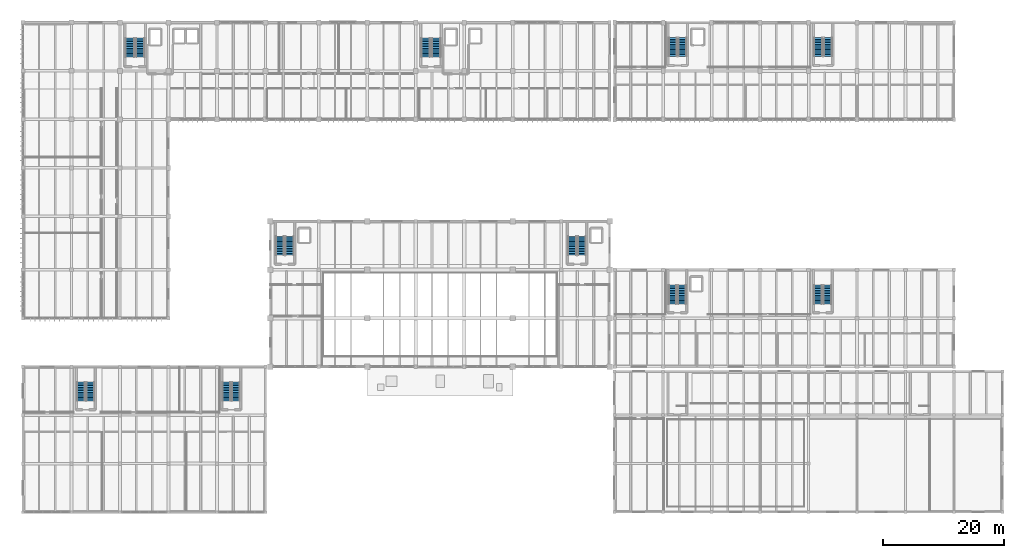
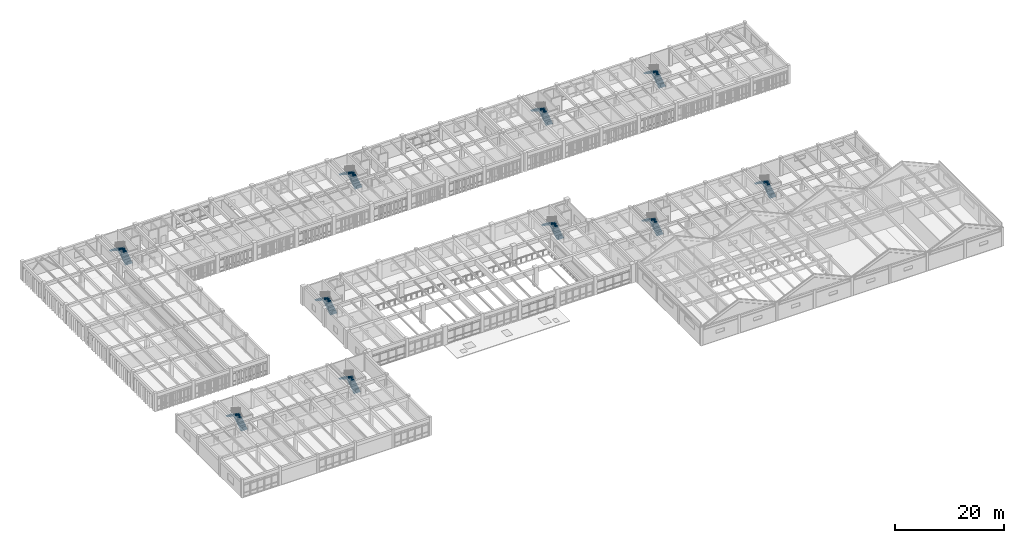
# One storey, part 52 of 67: 20 stair flights, 10 elements without a shape of their own.
"""IFC4 building model written with IfcOpenShell, lengths in metres."""

from ifc_helpers import new_model, si_unit, direction, frame, origin, place, context, subcontext, project, spatial, polyline, outline, extrude, material, type_object, element, aggregate, save


model = new_model("IFC4")

# Units and contexts
model_context = context("Model", 3, precision=1e-05, world=origin(), true_north=direction((0.0, 1.0)))
body_context = subcontext(model_context, "Body", "Model", "MODEL_VIEW")
ifc_project = project(units=[si_unit("LENGTHUNIT", "METRE"), si_unit("AREAUNIT", "SQUARE_METRE"), si_unit("VOLUMEUNIT", "CUBIC_METRE"), si_unit("PLANEANGLEUNIT", "RADIAN"), si_unit("MASSUNIT", "GRAM", prefix="KILO")], contexts=[model_context])

# Site, building, storey
site_placement = place(None, origin())
site = spatial("IfcSite", under=ifc_project, at=site_placement, CompositionType="ELEMENT")
building_placement = place(site_placement, origin())
building = spatial("IfcBuilding", under=site, at=building_placement, Name="Tlaxcora Railside Police Headquarters", CompositionType="ELEMENT")
storey_placement = place(building_placement, frame((0.0, 0.0, 4.800048828125)))
storey = spatial("IfcBuildingStorey", under=building, at=storey_placement, Name="L01", CompositionType="ELEMENT", Elevation=4.800048828125)

# Stair, stair flights
ifc_material = material(Name="Concrete C40/50", Category="concrete")
stair_type_1 = type_object("IfcStairType", Name="Half-Turn Dog-Leg Stair ST-49", PredefinedType="HALF_TURN_STAIR", material=ifc_material)
stair_1_placement = place(storey_placement, origin())
stair_1 = element("IfcStair", 1, at=stair_1_placement, inside=storey, type_object=stair_type_1, Name="L01 ST6", PredefinedType="HALF_TURN_STAIR")
stair_flight_type_1 = type_object("IfcStairFlightType", Name="Straight Stair Flight SF-11", PredefinedType="STRAIGHT", material=ifc_material)
stair_flight_1_placement = place(storey_placement, frame((16.3349609375, 30.360107421875, 0.0), z_axis=(0.0, 0.0, 1.0), x_axis=(0.0, 1.0, 0.0)))
stair_flight_1 = element("IfcStairFlight", 2, at=stair_flight_1_placement, type_object=stair_flight_type_1, Name="ST6 flight 1", NumberOfRisers=12, NumberOfTreads=11, PredefinedType="STRAIGHT", RiserHeight=0.175, TreadLength=0.28, context=body_context, shape_type="SweptSolid", body=[
    extrude(outline(polyline([(0.0, 0.0), (0.0, 0.175048828125), (0.280029296875, 0.175048828125), (0.280029296875, 0.35009765625), (0.56005859375, 0.35009765625), (0.56005859375, 0.52490234375), (0.840087890625, 0.52490234375), (0.840087890625, 0.699951171875), (1.1201171875, 0.699951171875), (1.1201171875, 0.875), (1.39990234375, 0.875), (1.39990234375, 1.050048828125), (1.679931640625, 1.050048828125), (1.679931640625, 1.22509765625), (1.9599609375, 1.22509765625), (1.9599609375, 1.39990234375), (2.239990234375, 1.39990234375), (2.239990234375, 1.574951171875), (2.52001953125, 1.574951171875), (2.52001953125, 1.75), (2.800048828125, 1.75), (2.800048828125, 1.925048828125), (3.080078125, 1.925048828125), (3.080078125, 2.10009765625), (3.080078125, 1.748291015625), (0.28271484375, 0.0), (0.0, 0.0)])), frame((0.0, 0.675048828125, 0.0), z_axis=(0.0, -1.0, 0.0), x_axis=(1.0, 0.0, 0.0)), (0.0, 0.0, 1.0), 1.35009765625),
])
stair_flight_2_placement = place(storey_placement, frame((14.784912109375, 33.43994140625, 2.099853515625), z_axis=(0.0, 0.0, 1.0), x_axis=(0.0, -1.0, 0.0)))
stair_flight_2 = element("IfcStairFlight", 3, at=stair_flight_2_placement, type_object=stair_flight_type_1, Name="ST6 flight 2", NumberOfRisers=12, NumberOfTreads=11, PredefinedType="STRAIGHT", RiserHeight=0.175, TreadLength=0.28, context=body_context, shape_type="SweptSolid", body=[
    extrude(outline(polyline([(0.0, 0.0), (0.0, 0.175048828125), (0.280029296875, 0.175048828125), (0.280029296875, 0.35009765625), (0.56005859375, 0.35009765625), (0.56005859375, 0.52490234375), (0.840087890625, 0.52490234375), (0.840087890625, 0.699951171875), (1.1201171875, 0.699951171875), (1.1201171875, 0.875), (1.39990234375, 0.875), (1.39990234375, 1.050048828125), (1.679931640625, 1.050048828125), (1.679931640625, 1.22509765625), (1.9599609375, 1.22509765625), (1.9599609375, 1.39990234375), (2.239990234375, 1.39990234375), (2.239990234375, 1.574951171875), (2.52001953125, 1.574951171875), (2.52001953125, 1.75), (2.800048828125, 1.75), (2.800048828125, 1.925048828125), (3.080078125, 1.925048828125), (3.080078125, 2.10009765625), (3.080078125, 1.748291015625), (0.28271484375, 0.0), (0.0, 0.0)])), frame((0.0, 0.675048828125, 0.0), z_axis=(0.0, -1.0, 0.0), x_axis=(1.0, 0.0, 0.0)), (0.0, 0.0, 1.0), 1.35009765625),
])
aggregate(stair_1, [stair_flight_1, stair_flight_2])

stair_2_placement = place(storey_placement, origin())
stair_2 = element("IfcStair", 4, at=stair_2_placement, inside=storey, type_object=stair_type_1, Name="L01 ST10", PredefinedType="HALF_TURN_STAIR")
stair_flight_3_placement = place(storey_placement, frame((40.3349609375, 30.360107421875, 0.0), z_axis=(0.0, 0.0, 1.0), x_axis=(0.0, 1.0, 0.0)))
stair_flight_3 = element("IfcStairFlight", 5, at=stair_flight_3_placement, type_object=stair_flight_type_1, Name="ST10 flight 1", NumberOfRisers=12, NumberOfTreads=11, PredefinedType="STRAIGHT", RiserHeight=0.175, TreadLength=0.28, context=body_context, shape_type="SweptSolid", body=[
    extrude(outline(polyline([(0.0, 0.0), (0.0, 0.175048828125), (0.280029296875, 0.175048828125), (0.280029296875, 0.35009765625), (0.56005859375, 0.35009765625), (0.56005859375, 0.52490234375), (0.840087890625, 0.52490234375), (0.840087890625, 0.699951171875), (1.1201171875, 0.699951171875), (1.1201171875, 0.875), (1.39990234375, 0.875), (1.39990234375, 1.050048828125), (1.679931640625, 1.050048828125), (1.679931640625, 1.22509765625), (1.9599609375, 1.22509765625), (1.9599609375, 1.39990234375), (2.239990234375, 1.39990234375), (2.239990234375, 1.574951171875), (2.52001953125, 1.574951171875), (2.52001953125, 1.75), (2.800048828125, 1.75), (2.800048828125, 1.925048828125), (3.080078125, 1.925048828125), (3.080078125, 2.10009765625), (3.080078125, 1.748291015625), (0.28271484375, 0.0), (0.0, 0.0)])), frame((0.0, 0.675048828125, 0.0), z_axis=(0.0, -1.0, 0.0), x_axis=(1.0, 0.0, 0.0)), (0.0, 0.0, 1.0), 1.35009765625),
])
stair_flight_4_placement = place(storey_placement, frame((38.784912109375, 33.43994140625, 2.099853515625), z_axis=(0.0, 0.0, 1.0), x_axis=(0.0, -1.0, 0.0)))
stair_flight_4 = element("IfcStairFlight", 6, at=stair_flight_4_placement, type_object=stair_flight_type_1, Name="ST10 flight 2", NumberOfRisers=12, NumberOfTreads=11, PredefinedType="STRAIGHT", RiserHeight=0.175, TreadLength=0.28, context=body_context, shape_type="SweptSolid", body=[
    extrude(outline(polyline([(0.0, 0.0), (0.0, 0.175048828125), (0.280029296875, 0.175048828125), (0.280029296875, 0.35009765625), (0.56005859375, 0.35009765625), (0.56005859375, 0.52490234375), (0.840087890625, 0.52490234375), (0.840087890625, 0.699951171875), (1.1201171875, 0.699951171875), (1.1201171875, 0.875), (1.39990234375, 0.875), (1.39990234375, 1.050048828125), (1.679931640625, 1.050048828125), (1.679931640625, 1.22509765625), (1.9599609375, 1.22509765625), (1.9599609375, 1.39990234375), (2.239990234375, 1.39990234375), (2.239990234375, 1.574951171875), (2.52001953125, 1.574951171875), (2.52001953125, 1.75), (2.800048828125, 1.75), (2.800048828125, 1.925048828125), (3.080078125, 1.925048828125), (3.080078125, 2.10009765625), (3.080078125, 1.748291015625), (0.28271484375, 0.0), (0.0, 0.0)])), frame((0.0, 0.675048828125, 0.0), z_axis=(0.0, -1.0, 0.0), x_axis=(1.0, 0.0, 0.0)), (0.0, 0.0, 1.0), 1.35009765625),
])
aggregate(stair_2, [stair_flight_3, stair_flight_4])

stair_3_placement = place(storey_placement, origin())
stair_3 = element("IfcStair", 7, at=stair_3_placement, inside=storey, type_object=stair_type_1, Name="L01 ST5", PredefinedType="HALF_TURN_STAIR")
stair_flight_5_placement = place(storey_placement, frame((113.93505859375, 46.360107421875, 0.0), z_axis=(0.0, 0.0, 1.0), x_axis=(0.0, 1.0, 0.0)))
stair_flight_5 = element("IfcStairFlight", 8, at=stair_flight_5_placement, type_object=stair_flight_type_1, Name="ST5 flight 1", NumberOfRisers=12, NumberOfTreads=11, PredefinedType="STRAIGHT", RiserHeight=0.175, TreadLength=0.28, context=body_context, shape_type="SweptSolid", body=[
    extrude(outline(polyline([(0.0, 0.0), (0.0, 0.175048828125), (0.280029296875, 0.175048828125), (0.280029296875, 0.35009765625), (0.56005859375, 0.35009765625), (0.56005859375, 0.52490234375), (0.840087890625, 0.52490234375), (0.840087890625, 0.699951171875), (1.1201171875, 0.699951171875), (1.1201171875, 0.875), (1.39990234375, 0.875), (1.39990234375, 1.050048828125), (1.679931640625, 1.050048828125), (1.679931640625, 1.22509765625), (1.9599609375, 1.22509765625), (1.9599609375, 1.39990234375), (2.239990234375, 1.39990234375), (2.239990234375, 1.574951171875), (2.52001953125, 1.574951171875), (2.52001953125, 1.75), (2.800048828125, 1.75), (2.800048828125, 1.925048828125), (3.080078125, 1.925048828125), (3.080078125, 2.10009765625), (3.080078125, 1.748291015625), (0.28271484375, 0.0), (0.0, 0.0)])), frame((0.0, 0.675048828125, 0.0), z_axis=(0.0, -1.0, 0.0), x_axis=(1.0, 0.0, 0.0)), (0.0, 0.0, 1.0), 1.35009765625),
])
stair_flight_6_placement = place(storey_placement, frame((112.385009765625, 49.43994140625, 2.099853515625), z_axis=(0.0, 0.0, 1.0), x_axis=(0.0, -1.0, 0.0)))
stair_flight_6 = element("IfcStairFlight", 9, at=stair_flight_6_placement, type_object=stair_flight_type_1, Name="ST5 flight 2", NumberOfRisers=12, NumberOfTreads=11, PredefinedType="STRAIGHT", RiserHeight=0.175, TreadLength=0.28, context=body_context, shape_type="SweptSolid", body=[
    extrude(outline(polyline([(0.0, 0.0), (0.0, 0.175048828125), (0.280029296875, 0.175048828125), (0.280029296875, 0.35009765625), (0.56005859375, 0.35009765625), (0.56005859375, 0.52490234375), (0.840087890625, 0.52490234375), (0.840087890625, 0.699951171875), (1.1201171875, 0.699951171875), (1.1201171875, 0.875), (1.39990234375, 0.875), (1.39990234375, 1.050048828125), (1.679931640625, 1.050048828125), (1.679931640625, 1.22509765625), (1.9599609375, 1.22509765625), (1.9599609375, 1.39990234375), (2.239990234375, 1.39990234375), (2.239990234375, 1.574951171875), (2.52001953125, 1.574951171875), (2.52001953125, 1.75), (2.800048828125, 1.75), (2.800048828125, 1.925048828125), (3.080078125, 1.925048828125), (3.080078125, 2.10009765625), (3.080078125, 1.748291015625), (0.28271484375, 0.0), (0.0, 0.0)])), frame((0.0, 0.675048828125, 0.0), z_axis=(0.0, -1.0, 0.0), x_axis=(1.0, 0.0, 0.0)), (0.0, 0.0, 1.0), 1.35009765625),
])
aggregate(stair_3, [stair_flight_5, stair_flight_6])

stair_4_placement = place(storey_placement, origin())
stair_4 = element("IfcStair", 10, at=stair_4_placement, inside=storey, type_object=stair_type_1, Name="L01 ST11", PredefinedType="HALF_TURN_STAIR")
stair_flight_7_placement = place(storey_placement, frame((137.93505859375, 46.360107421875, 0.0), z_axis=(0.0, 0.0, 1.0), x_axis=(0.0, 1.0, 0.0)))
stair_flight_7 = element("IfcStairFlight", 11, at=stair_flight_7_placement, type_object=stair_flight_type_1, Name="ST11 flight 1", NumberOfRisers=12, NumberOfTreads=11, PredefinedType="STRAIGHT", RiserHeight=0.175, TreadLength=0.28, context=body_context, shape_type="SweptSolid", body=[
    extrude(outline(polyline([(0.0, 0.0), (0.0, 0.175048828125), (0.280029296875, 0.175048828125), (0.280029296875, 0.35009765625), (0.56005859375, 0.35009765625), (0.56005859375, 0.52490234375), (0.840087890625, 0.52490234375), (0.840087890625, 0.699951171875), (1.1201171875, 0.699951171875), (1.1201171875, 0.875), (1.39990234375, 0.875), (1.39990234375, 1.050048828125), (1.679931640625, 1.050048828125), (1.679931640625, 1.22509765625), (1.9599609375, 1.22509765625), (1.9599609375, 1.39990234375), (2.239990234375, 1.39990234375), (2.239990234375, 1.574951171875), (2.52001953125, 1.574951171875), (2.52001953125, 1.75), (2.800048828125, 1.75), (2.800048828125, 1.925048828125), (3.080078125, 1.925048828125), (3.080078125, 2.10009765625), (3.080078125, 1.748291015625), (0.28271484375, 0.0), (0.0, 0.0)])), frame((0.0, 0.675048828125, 0.0), z_axis=(0.0, -1.0, 0.0), x_axis=(1.0, 0.0, 0.0)), (0.0, 0.0, 1.0), 1.35009765625),
])
stair_flight_8_placement = place(storey_placement, frame((136.385009765625, 49.43994140625, 2.099853515625), z_axis=(0.0, 0.0, 1.0), x_axis=(0.0, -1.0, 0.0)))
stair_flight_8 = element("IfcStairFlight", 12, at=stair_flight_8_placement, type_object=stair_flight_type_1, Name="ST11 flight 2", NumberOfRisers=12, NumberOfTreads=11, PredefinedType="STRAIGHT", RiserHeight=0.175, TreadLength=0.28, context=body_context, shape_type="SweptSolid", body=[
    extrude(outline(polyline([(0.0, 0.0), (0.0, 0.175048828125), (0.280029296875, 0.175048828125), (0.280029296875, 0.35009765625), (0.56005859375, 0.35009765625), (0.56005859375, 0.52490234375), (0.840087890625, 0.52490234375), (0.840087890625, 0.699951171875), (1.1201171875, 0.699951171875), (1.1201171875, 0.875), (1.39990234375, 0.875), (1.39990234375, 1.050048828125), (1.679931640625, 1.050048828125), (1.679931640625, 1.22509765625), (1.9599609375, 1.22509765625), (1.9599609375, 1.39990234375), (2.239990234375, 1.39990234375), (2.239990234375, 1.574951171875), (2.52001953125, 1.574951171875), (2.52001953125, 1.75), (2.800048828125, 1.75), (2.800048828125, 1.925048828125), (3.080078125, 1.925048828125), (3.080078125, 2.10009765625), (3.080078125, 1.748291015625), (0.28271484375, 0.0), (0.0, 0.0)])), frame((0.0, 0.675048828125, 0.0), z_axis=(0.0, -1.0, 0.0), x_axis=(1.0, 0.0, 0.0)), (0.0, 0.0, 1.0), 1.35009765625),
])
aggregate(stair_4, [stair_flight_7, stair_flight_8])

stair_type_2 = type_object("IfcStairType", Name="Half-Turn Dog-Leg Stair ST-45", PredefinedType="HALF_TURN_STAIR", material=ifc_material)
stair_5_placement = place(storey_placement, origin())
stair_5 = element("IfcStair", 13, at=stair_5_placement, inside=storey, type_object=stair_type_2, Name="L01 ST3", PredefinedType="HALF_TURN_STAIR")
stair_flight_type_2 = type_object("IfcStairFlightType", Name="Straight Stair Flight SF-16", PredefinedType="STRAIGHT", material=ifc_material)
stair_flight_9_placement = place(storey_placement, frame((114.010009765625, 87.2099609375, 0.0), z_axis=(0.0, 0.0, 1.0), x_axis=(0.0, 1.0, 0.0)))
stair_flight_9 = element("IfcStairFlight", 14, at=stair_flight_9_placement, type_object=stair_flight_type_2, Name="ST3 flight 1", NumberOfRisers=12, NumberOfTreads=11, PredefinedType="STRAIGHT", RiserHeight=0.175, TreadLength=0.28, context=body_context, shape_type="SweptSolid", body=[
    extrude(outline(polyline([(0.0, 0.0), (0.0, 0.175048828125), (0.280029296875, 0.175048828125), (0.280029296875, 0.35009765625), (0.56005859375, 0.35009765625), (0.56005859375, 0.52490234375), (0.840087890625, 0.52490234375), (0.840087890625, 0.699951171875), (1.1201171875, 0.699951171875), (1.1201171875, 0.875), (1.39990234375, 0.875), (1.39990234375, 1.050048828125), (1.679931640625, 1.050048828125), (1.679931640625, 1.22509765625), (1.9599609375, 1.22509765625), (1.9599609375, 1.39990234375), (2.239990234375, 1.39990234375), (2.239990234375, 1.574951171875), (2.52001953125, 1.574951171875), (2.52001953125, 1.75), (2.800048828125, 1.75), (2.800048828125, 1.925048828125), (3.080078125, 1.925048828125), (3.080078125, 2.10009765625), (3.080078125, 1.748291015625), (0.28271484375, 0.0), (0.0, 0.0)])), frame((0.0, 0.699951171875, 0.0), z_axis=(0.0, -1.0, 0.0), x_axis=(1.0, 0.0, 0.0)), (0.0, 0.0, 1.0), 1.39990234375),
])
stair_flight_10_placement = place(storey_placement, frame((112.409912109375, 90.2900390625, 2.099853515625), z_axis=(0.0, 0.0, 1.0), x_axis=(0.0, -1.0, 0.0)))
stair_flight_10 = element("IfcStairFlight", 15, at=stair_flight_10_placement, type_object=stair_flight_type_2, Name="ST3 flight 2", NumberOfRisers=12, NumberOfTreads=11, PredefinedType="STRAIGHT", RiserHeight=0.175, TreadLength=0.28, context=body_context, shape_type="SweptSolid", body=[
    extrude(outline(polyline([(0.0, 0.0), (0.0, 0.175048828125), (0.280029296875, 0.175048828125), (0.280029296875, 0.35009765625), (0.56005859375, 0.35009765625), (0.56005859375, 0.52490234375), (0.840087890625, 0.52490234375), (0.840087890625, 0.699951171875), (1.1201171875, 0.699951171875), (1.1201171875, 0.875), (1.39990234375, 0.875), (1.39990234375, 1.050048828125), (1.679931640625, 1.050048828125), (1.679931640625, 1.22509765625), (1.9599609375, 1.22509765625), (1.9599609375, 1.39990234375), (2.239990234375, 1.39990234375), (2.239990234375, 1.574951171875), (2.52001953125, 1.574951171875), (2.52001953125, 1.75), (2.800048828125, 1.75), (2.800048828125, 1.925048828125), (3.080078125, 1.925048828125), (3.080078125, 2.10009765625), (3.080078125, 1.748291015625), (0.28271484375, 0.0), (0.0, 0.0)])), frame((0.0, 0.699951171875, 0.0), z_axis=(0.0, -1.0, 0.0), x_axis=(1.0, 0.0, 0.0)), (0.0, 0.0, 1.0), 1.39990234375),
])
aggregate(stair_5, [stair_flight_9, stair_flight_10])

stair_6_placement = place(storey_placement, origin())
stair_6 = element("IfcStair", 16, at=stair_6_placement, inside=storey, type_object=stair_type_2, Name="L01 ST8", PredefinedType="HALF_TURN_STAIR")
stair_flight_11_placement = place(storey_placement, frame((138.010009765625, 87.2099609375, 0.0), z_axis=(0.0, 0.0, 1.0), x_axis=(0.0, 1.0, 0.0)))
stair_flight_11 = element("IfcStairFlight", 17, at=stair_flight_11_placement, type_object=stair_flight_type_2, Name="ST8 flight 1", NumberOfRisers=12, NumberOfTreads=11, PredefinedType="STRAIGHT", RiserHeight=0.175, TreadLength=0.28, context=body_context, shape_type="SweptSolid", body=[
    extrude(outline(polyline([(0.0, 0.0), (0.0, 0.175048828125), (0.280029296875, 0.175048828125), (0.280029296875, 0.35009765625), (0.56005859375, 0.35009765625), (0.56005859375, 0.52490234375), (0.840087890625, 0.52490234375), (0.840087890625, 0.699951171875), (1.1201171875, 0.699951171875), (1.1201171875, 0.875), (1.39990234375, 0.875), (1.39990234375, 1.050048828125), (1.679931640625, 1.050048828125), (1.679931640625, 1.22509765625), (1.9599609375, 1.22509765625), (1.9599609375, 1.39990234375), (2.239990234375, 1.39990234375), (2.239990234375, 1.574951171875), (2.52001953125, 1.574951171875), (2.52001953125, 1.75), (2.800048828125, 1.75), (2.800048828125, 1.925048828125), (3.080078125, 1.925048828125), (3.080078125, 2.10009765625), (3.080078125, 1.748291015625), (0.28271484375, 0.0), (0.0, 0.0)])), frame((0.0, 0.699951171875, 0.0), z_axis=(0.0, -1.0, 0.0), x_axis=(1.0, 0.0, 0.0)), (0.0, 0.0, 1.0), 1.39990234375),
])
stair_flight_12_placement = place(storey_placement, frame((136.409912109375, 90.2900390625, 2.099853515625), z_axis=(0.0, 0.0, 1.0), x_axis=(0.0, -1.0, 0.0)))
stair_flight_12 = element("IfcStairFlight", 18, at=stair_flight_12_placement, type_object=stair_flight_type_2, Name="ST8 flight 2", NumberOfRisers=12, NumberOfTreads=11, PredefinedType="STRAIGHT", RiserHeight=0.175, TreadLength=0.28, context=body_context, shape_type="SweptSolid", body=[
    extrude(outline(polyline([(0.0, 0.0), (0.0, 0.175048828125), (0.280029296875, 0.175048828125), (0.280029296875, 0.35009765625), (0.56005859375, 0.35009765625), (0.56005859375, 0.52490234375), (0.840087890625, 0.52490234375), (0.840087890625, 0.699951171875), (1.1201171875, 0.699951171875), (1.1201171875, 0.875), (1.39990234375, 0.875), (1.39990234375, 1.050048828125), (1.679931640625, 1.050048828125), (1.679931640625, 1.22509765625), (1.9599609375, 1.22509765625), (1.9599609375, 1.39990234375), (2.239990234375, 1.39990234375), (2.239990234375, 1.574951171875), (2.52001953125, 1.574951171875), (2.52001953125, 1.75), (2.800048828125, 1.75), (2.800048828125, 1.925048828125), (3.080078125, 1.925048828125), (3.080078125, 2.10009765625), (3.080078125, 1.748291015625), (0.28271484375, 0.0), (0.0, 0.0)])), frame((0.0, 0.699951171875, 0.0), z_axis=(0.0, -1.0, 0.0), x_axis=(1.0, 0.0, 0.0)), (0.0, 0.0, 1.0), 1.39990234375),
])
aggregate(stair_6, [stair_flight_11, stair_flight_12])

stair_7_placement = place(storey_placement, origin())
stair_7 = element("IfcStair", 19, at=stair_7_placement, inside=storey, type_object=stair_type_2, Name="L01 ST4", PredefinedType="HALF_TURN_STAIR")
stair_flight_13_placement = place(storey_placement, frame((49.2099609375, 54.409912109375, 0.0), z_axis=(0.0, 0.0, 1.0), x_axis=(0.0, 1.0, 0.0)))
stair_flight_13 = element("IfcStairFlight", 20, at=stair_flight_13_placement, type_object=stair_flight_type_2, Name="ST4 flight 1", NumberOfRisers=12, NumberOfTreads=11, PredefinedType="STRAIGHT", RiserHeight=0.175, TreadLength=0.28, context=body_context, shape_type="SweptSolid", body=[
    extrude(outline(polyline([(0.0, 0.0), (0.0, 0.175048828125), (0.280029296875, 0.175048828125), (0.280029296875, 0.35009765625), (0.56005859375, 0.35009765625), (0.56005859375, 0.52490234375), (0.840087890625, 0.52490234375), (0.840087890625, 0.699951171875), (1.1201171875, 0.699951171875), (1.1201171875, 0.875), (1.39990234375, 0.875), (1.39990234375, 1.050048828125), (1.679931640625, 1.050048828125), (1.679931640625, 1.22509765625), (1.9599609375, 1.22509765625), (1.9599609375, 1.39990234375), (2.239990234375, 1.39990234375), (2.239990234375, 1.574951171875), (2.52001953125, 1.574951171875), (2.52001953125, 1.75), (2.800048828125, 1.75), (2.800048828125, 1.925048828125), (3.080078125, 1.925048828125), (3.080078125, 2.10009765625), (3.080078125, 1.748291015625), (0.28271484375, 0.0), (0.0, 0.0)])), frame((0.0, 0.699951171875, 0.0), z_axis=(0.0, -1.0, 0.0), x_axis=(1.0, 0.0, 0.0)), (0.0, 0.0, 1.0), 1.39990234375),
])
stair_flight_14_placement = place(storey_placement, frame((47.610107421875, 57.489990234375, 2.099853515625), z_axis=(0.0, 0.0, 1.0), x_axis=(0.0, -1.0, 0.0)))
stair_flight_14 = element("IfcStairFlight", 21, at=stair_flight_14_placement, type_object=stair_flight_type_2, Name="ST4 flight 2", NumberOfRisers=12, NumberOfTreads=11, PredefinedType="STRAIGHT", RiserHeight=0.175, TreadLength=0.28, context=body_context, shape_type="SweptSolid", body=[
    extrude(outline(polyline([(0.0, 0.0), (0.0, 0.175048828125), (0.280029296875, 0.175048828125), (0.280029296875, 0.35009765625), (0.56005859375, 0.35009765625), (0.56005859375, 0.52490234375), (0.840087890625, 0.52490234375), (0.840087890625, 0.699951171875), (1.1201171875, 0.699951171875), (1.1201171875, 0.875), (1.39990234375, 0.875), (1.39990234375, 1.050048828125), (1.679931640625, 1.050048828125), (1.679931640625, 1.22509765625), (1.9599609375, 1.22509765625), (1.9599609375, 1.39990234375), (2.239990234375, 1.39990234375), (2.239990234375, 1.574951171875), (2.52001953125, 1.574951171875), (2.52001953125, 1.75), (2.800048828125, 1.75), (2.800048828125, 1.925048828125), (3.080078125, 1.925048828125), (3.080078125, 2.10009765625), (3.080078125, 1.748291015625), (0.28271484375, 0.0), (0.0, 0.0)])), frame((0.0, 0.699951171875, 0.0), z_axis=(0.0, -1.0, 0.0), x_axis=(1.0, 0.0, 0.0)), (0.0, 0.0, 1.0), 1.39990234375),
])
aggregate(stair_7, [stair_flight_13, stair_flight_14])

stair_8_placement = place(storey_placement, origin())
stair_8 = element("IfcStair", 22, at=stair_8_placement, inside=storey, type_object=stair_type_2, Name="L01 ST9", PredefinedType="HALF_TURN_STAIR")
stair_flight_15_placement = place(storey_placement, frame((97.409912109375, 54.409912109375, 0.0), z_axis=(0.0, 0.0, 1.0), x_axis=(0.0, 1.0, 0.0)))
stair_flight_15 = element("IfcStairFlight", 23, at=stair_flight_15_placement, type_object=stair_flight_type_2, Name="ST9 flight 1", NumberOfRisers=12, NumberOfTreads=11, PredefinedType="STRAIGHT", RiserHeight=0.175, TreadLength=0.28, context=body_context, shape_type="SweptSolid", body=[
    extrude(outline(polyline([(0.0, 0.0), (0.0, 0.175048828125), (0.280029296875, 0.175048828125), (0.280029296875, 0.35009765625), (0.56005859375, 0.35009765625), (0.56005859375, 0.52490234375), (0.840087890625, 0.52490234375), (0.840087890625, 0.699951171875), (1.1201171875, 0.699951171875), (1.1201171875, 0.875), (1.39990234375, 0.875), (1.39990234375, 1.050048828125), (1.679931640625, 1.050048828125), (1.679931640625, 1.22509765625), (1.9599609375, 1.22509765625), (1.9599609375, 1.39990234375), (2.239990234375, 1.39990234375), (2.239990234375, 1.574951171875), (2.52001953125, 1.574951171875), (2.52001953125, 1.75), (2.800048828125, 1.75), (2.800048828125, 1.925048828125), (3.080078125, 1.925048828125), (3.080078125, 2.10009765625), (3.080078125, 1.748291015625), (0.28271484375, 0.0), (0.0, 0.0)])), frame((0.0, 0.699951171875, 0.0), z_axis=(0.0, -1.0, 0.0), x_axis=(1.0, 0.0, 0.0)), (0.0, 0.0, 1.0), 1.39990234375),
])
stair_flight_16_placement = place(storey_placement, frame((95.81005859375, 57.489990234375, 2.099853515625), z_axis=(0.0, 0.0, 1.0), x_axis=(0.0, -1.0, 0.0)))
stair_flight_16 = element("IfcStairFlight", 24, at=stair_flight_16_placement, type_object=stair_flight_type_2, Name="ST9 flight 2", NumberOfRisers=12, NumberOfTreads=11, PredefinedType="STRAIGHT", RiserHeight=0.175, TreadLength=0.28, context=body_context, shape_type="SweptSolid", body=[
    extrude(outline(polyline([(0.0, 0.0), (0.0, 0.175048828125), (0.280029296875, 0.175048828125), (0.280029296875, 0.35009765625), (0.56005859375, 0.35009765625), (0.56005859375, 0.52490234375), (0.840087890625, 0.52490234375), (0.840087890625, 0.699951171875), (1.1201171875, 0.699951171875), (1.1201171875, 0.875), (1.39990234375, 0.875), (1.39990234375, 1.050048828125), (1.679931640625, 1.050048828125), (1.679931640625, 1.22509765625), (1.9599609375, 1.22509765625), (1.9599609375, 1.39990234375), (2.239990234375, 1.39990234375), (2.239990234375, 1.574951171875), (2.52001953125, 1.574951171875), (2.52001953125, 1.75), (2.800048828125, 1.75), (2.800048828125, 1.925048828125), (3.080078125, 1.925048828125), (3.080078125, 2.10009765625), (3.080078125, 1.748291015625), (0.28271484375, 0.0), (0.0, 0.0)])), frame((0.0, 0.699951171875, 0.0), z_axis=(0.0, -1.0, 0.0), x_axis=(1.0, 0.0, 0.0)), (0.0, 0.0, 1.0), 1.39990234375),
])
aggregate(stair_8, [stair_flight_15, stair_flight_16])

stair_type_3 = type_object("IfcStairType", Name="Half-Turn Dog-Leg Stair ST-36", PredefinedType="HALF_TURN_STAIR", material=ifc_material)
stair_9_placement = place(storey_placement, origin())
stair_9 = element("IfcStair", 25, at=stair_9_placement, inside=storey, type_object=stair_type_3, Name="L01 ST1", PredefinedType="HALF_TURN_STAIR")
stair_flight_type_3 = type_object("IfcStairFlightType", Name="Straight Stair Flight SF-23", PredefinedType="STRAIGHT", material=ifc_material)
stair_flight_17_placement = place(storey_placement, frame((24.56005859375, 87.110107421875, 0.0), z_axis=(0.0, 0.0, 1.0), x_axis=(0.0, 1.0, 0.0)))
stair_flight_17 = element("IfcStairFlight", 26, at=stair_flight_17_placement, type_object=stair_flight_type_3, Name="ST1 flight 1", NumberOfRisers=12, NumberOfTreads=11, PredefinedType="STRAIGHT", RiserHeight=0.175, TreadLength=0.28, context=body_context, shape_type="SweptSolid", body=[
    extrude(outline(polyline([(0.0, 0.0), (0.0, 0.175048828125), (0.280029296875, 0.175048828125), (0.280029296875, 0.35009765625), (0.56005859375, 0.35009765625), (0.56005859375, 0.52490234375), (0.840087890625, 0.52490234375), (0.840087890625, 0.699951171875), (1.1201171875, 0.699951171875), (1.1201171875, 0.875), (1.39990234375, 0.875), (1.39990234375, 1.050048828125), (1.679931640625, 1.050048828125), (1.679931640625, 1.22509765625), (1.9599609375, 1.22509765625), (1.9599609375, 1.39990234375), (2.239990234375, 1.39990234375), (2.239990234375, 1.574951171875), (2.52001953125, 1.574951171875), (2.52001953125, 1.75), (2.800048828125, 1.75), (2.800048828125, 1.925048828125), (3.080078125, 1.925048828125), (3.080078125, 2.10009765625), (3.080078125, 1.748291015625), (0.28271484375, 0.0), (0.0, 0.0)])), frame((0.0, 0.75, 0.0), z_axis=(0.0, -1.0, 0.0), x_axis=(1.0, 0.0, 0.0)), (0.0, 0.0, 1.0), 1.5),
])
stair_flight_18_placement = place(storey_placement, frame((22.860107421875, 90.18994140625, 2.099853515625), z_axis=(0.0, 0.0, 1.0), x_axis=(0.0, -1.0, 0.0)))
stair_flight_18 = element("IfcStairFlight", 27, at=stair_flight_18_placement, type_object=stair_flight_type_3, Name="ST1 flight 2", NumberOfRisers=12, NumberOfTreads=11, PredefinedType="STRAIGHT", RiserHeight=0.175, TreadLength=0.28, context=body_context, shape_type="SweptSolid", body=[
    extrude(outline(polyline([(0.0, 0.0), (0.0, 0.175048828125), (0.280029296875, 0.175048828125), (0.280029296875, 0.35009765625), (0.56005859375, 0.35009765625), (0.56005859375, 0.52490234375), (0.840087890625, 0.52490234375), (0.840087890625, 0.699951171875), (1.1201171875, 0.699951171875), (1.1201171875, 0.875), (1.39990234375, 0.875), (1.39990234375, 1.050048828125), (1.679931640625, 1.050048828125), (1.679931640625, 1.22509765625), (1.9599609375, 1.22509765625), (1.9599609375, 1.39990234375), (2.239990234375, 1.39990234375), (2.239990234375, 1.574951171875), (2.52001953125, 1.574951171875), (2.52001953125, 1.75), (2.800048828125, 1.75), (2.800048828125, 1.925048828125), (3.080078125, 1.925048828125), (3.080078125, 2.10009765625), (3.080078125, 1.748291015625), (0.28271484375, 0.0), (0.0, 0.0)])), frame((0.0, 0.75, 0.0), z_axis=(0.0, -1.0, 0.0), x_axis=(1.0, 0.0, 0.0)), (0.0, 0.0, 1.0), 1.5),
])
aggregate(stair_9, [stair_flight_17, stair_flight_18])

stair_10_placement = place(storey_placement, origin())
stair_10 = element("IfcStair", 28, at=stair_10_placement, inside=storey, type_object=stair_type_3, Name="L01 ST2", PredefinedType="HALF_TURN_STAIR")
stair_flight_19_placement = place(storey_placement, frame((73.360107421875, 87.110107421875, 0.0), z_axis=(0.0, 0.0, 1.0), x_axis=(0.0, 1.0, 0.0)))
stair_flight_19 = element("IfcStairFlight", 29, at=stair_flight_19_placement, type_object=stair_flight_type_3, Name="ST2 flight 1", NumberOfRisers=12, NumberOfTreads=11, PredefinedType="STRAIGHT", RiserHeight=0.175, TreadLength=0.28, context=body_context, shape_type="SweptSolid", body=[
    extrude(outline(polyline([(0.0, 0.0), (0.0, 0.175048828125), (0.280029296875, 0.175048828125), (0.280029296875, 0.35009765625), (0.56005859375, 0.35009765625), (0.56005859375, 0.52490234375), (0.840087890625, 0.52490234375), (0.840087890625, 0.699951171875), (1.1201171875, 0.699951171875), (1.1201171875, 0.875), (1.39990234375, 0.875), (1.39990234375, 1.050048828125), (1.679931640625, 1.050048828125), (1.679931640625, 1.22509765625), (1.9599609375, 1.22509765625), (1.9599609375, 1.39990234375), (2.239990234375, 1.39990234375), (2.239990234375, 1.574951171875), (2.52001953125, 1.574951171875), (2.52001953125, 1.75), (2.800048828125, 1.75), (2.800048828125, 1.925048828125), (3.080078125, 1.925048828125), (3.080078125, 2.10009765625), (3.080078125, 1.748291015625), (0.28271484375, 0.0), (0.0, 0.0)])), frame((0.0, 0.75, 0.0), z_axis=(0.0, -1.0, 0.0), x_axis=(1.0, 0.0, 0.0)), (0.0, 0.0, 1.0), 1.5),
])
stair_flight_20_placement = place(storey_placement, frame((71.659912109375, 90.18994140625, 2.099853515625), z_axis=(0.0, 0.0, 1.0), x_axis=(0.0, -1.0, 0.0)))
stair_flight_20 = element("IfcStairFlight", 30, at=stair_flight_20_placement, type_object=stair_flight_type_3, Name="ST2 flight 2", NumberOfRisers=12, NumberOfTreads=11, PredefinedType="STRAIGHT", RiserHeight=0.175, TreadLength=0.28, context=body_context, shape_type="SweptSolid", body=[
    extrude(outline(polyline([(0.0, 0.0), (0.0, 0.175048828125), (0.280029296875, 0.175048828125), (0.280029296875, 0.35009765625), (0.56005859375, 0.35009765625), (0.56005859375, 0.52490234375), (0.840087890625, 0.52490234375), (0.840087890625, 0.699951171875), (1.1201171875, 0.699951171875), (1.1201171875, 0.875), (1.39990234375, 0.875), (1.39990234375, 1.050048828125), (1.679931640625, 1.050048828125), (1.679931640625, 1.22509765625), (1.9599609375, 1.22509765625), (1.9599609375, 1.39990234375), (2.239990234375, 1.39990234375), (2.239990234375, 1.574951171875), (2.52001953125, 1.574951171875), (2.52001953125, 1.75), (2.800048828125, 1.75), (2.800048828125, 1.925048828125), (3.080078125, 1.925048828125), (3.080078125, 2.10009765625), (3.080078125, 1.748291015625), (0.28271484375, 0.0), (0.0, 0.0)])), frame((0.0, 0.75, 0.0), z_axis=(0.0, -1.0, 0.0), x_axis=(1.0, 0.0, 0.0)), (0.0, 0.0, 1.0), 1.5),
])
aggregate(stair_10, [stair_flight_19, stair_flight_20])

save(model, "model.ifc")
